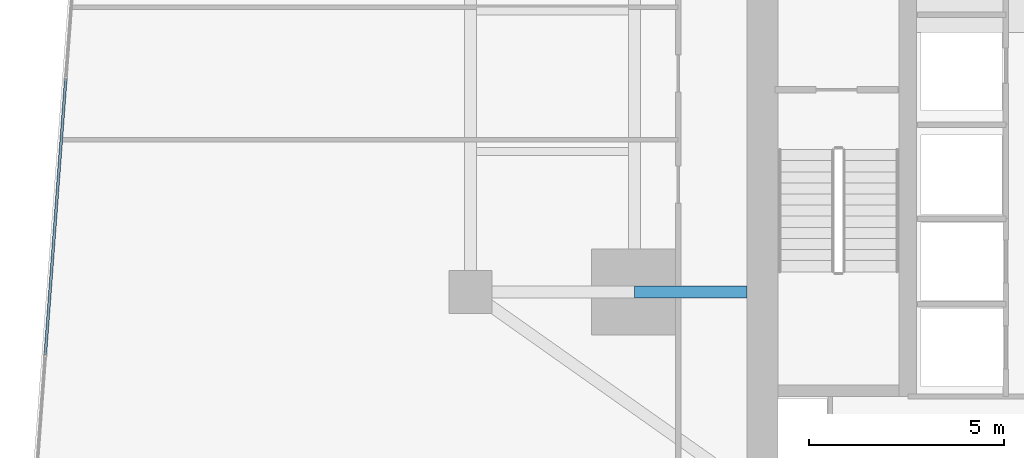
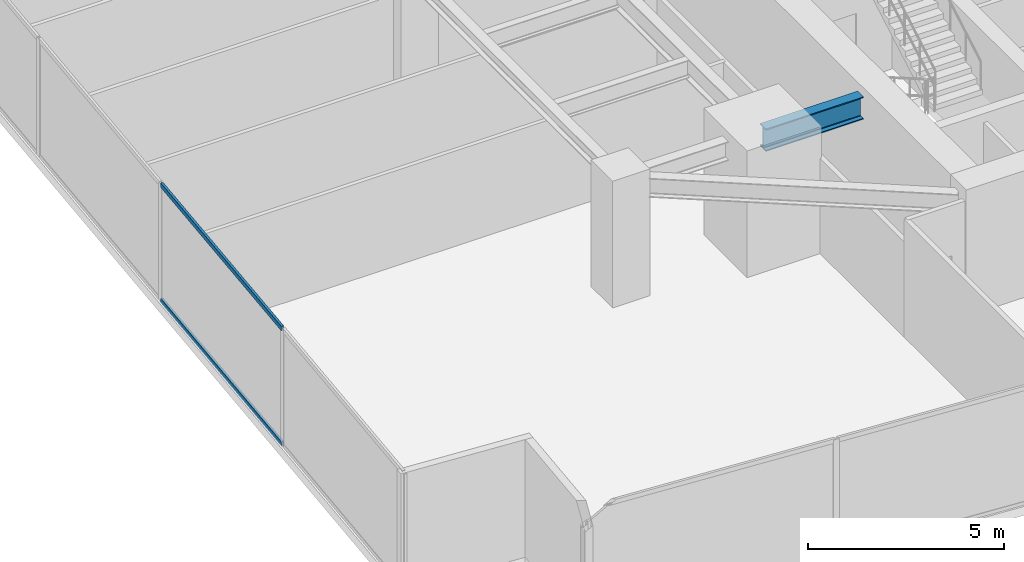
# One storey, part 7 of 30: 2 members, 1 beam, 1 element without a shape of its own.
"""IFC4 building model written with IfcOpenShell, lengths in metres."""

from ifc_helpers import new_model, si_unit, direction, frame, origin, origin_2d, place, context, subcontext, project, spatial, hollow_rectangle, i_section, extrude, source, transform, mapped, material, material_profile, profile_set, type_object, type_shapes, element, aggregate, save


model = new_model("IFC4")

# Units and contexts
model_context = context("Model", 3, precision=1e-05, world=origin(), true_north=direction((0.0, 1.0)))
body_context = subcontext(model_context, "Body", "Model", "MODEL_VIEW")
ifc_project = project(units=[si_unit("LENGTHUNIT", "METRE"), si_unit("AREAUNIT", "SQUARE_METRE"), si_unit("VOLUMEUNIT", "CUBIC_METRE"), si_unit("PLANEANGLEUNIT", "RADIAN"), si_unit("MASSUNIT", "GRAM", prefix="KILO")], contexts=[model_context])

# Site, building, storey
site_placement = place(None, origin())
site = spatial("IfcSite", under=ifc_project, at=site_placement, CompositionType="ELEMENT")
building_placement = place(site_placement, origin())
building = spatial("IfcBuilding", under=site, at=building_placement, Name="Krantzveldt Concourse Tower", CompositionType="ELEMENT")
storey_placement = place(building_placement, frame((0.0, 0.0, 52.64990234375)))
storey = spatial("IfcBuildingStorey", under=building, at=storey_placement, Name="L12", CompositionType="ELEMENT", Elevation=52.64990234375)

# Beam
ifc_material_1 = material(Name="Steel S355J2", Category="steel")
ifc_material_profile_1 = material_profile(ifc_material_1, i_section(OverallWidth=0.300048828125, OverallDepth=0.699951171875, WebThickness=0.01708984375, FlangeThickness=0.031982421875, FilletRadius=0.027099609375, at=origin_2d()), Name="Steel S355J2", Category="steel")
ifc_profile_set_1 = profile_set([ifc_material_profile_1], Name="Steel S355J2 - HEB 700")
beam_type = type_object("IfcBeamType", Name="BM-B-HEB700", PredefinedType="BEAM", material=ifc_profile_set_1)
shared_shape_1 = source(origin(), body_context, "Body", "SweptSolid", [
    extrude(i_section(OverallWidth=0.300048828125, OverallDepth=0.699951171875, WebThickness=0.01708984375, FlangeThickness=0.031982421875, FilletRadius=0.027099609375, at=origin_2d()), origin(), (0.0, 0.0, 1.0), 2.880126953125),
])
type_shapes(beam_type, [shared_shape_1])
beam_placement = place(storey_placement, frame((25.199951171875, 15.89990234375, 3.320068359375), z_axis=(1.0, 0.0, 0.0), x_axis=(0.0, 1.0, 0.0)))
element("IfcBeam", 1, at=beam_placement, inside=storey, type_object=beam_type, Name="L12 Tower Girder BG-CW1", PredefinedType="BEAM", context=body_context, shape_type="MappedRepresentation", body=[
    mapped(shared_shape_1, transform((0.0, 0.0, 0.0), x_axis=(1.0, 0.0, 0.0), y_axis=(0.0, 1.0, 0.0), z_axis=(0.0, 0.0, 1.0), scale=1.0)),
])

# Curtain wall, members
ifc_material_2 = material(Name="Anodised aluminium 6063-T6", Category="aluminium")
curtain_wall_type = type_object("IfcCurtainWallType", Name="CW2", PredefinedType="USERDEFINED", material=ifc_material_2)
curtain_wall_placement = place(storey_placement, origin())
curtain_wall = element("IfcCurtainWall", 2, at=curtain_wall_placement, inside=storey, type_object=curtain_wall_type, Name="CW-L12-F01", ObjectType="UNITISED CURTAIN WALL", PredefinedType="USERDEFINED")
ifc_material_profile_2 = material_profile(ifc_material_2, hollow_rectangle(XDim=0.070068359375, YDim=0.139892578125, WallThickness=0.0048828125, at=origin_2d()), Name="Anodised aluminium 6063-T6", Category="aluminium")
ifc_profile_set_2 = profile_set([ifc_material_profile_2], Name="Anodised aluminium 6063-T6 - ALU-TRAN 140x70x5")
member_type = type_object("IfcMemberType", Name="CW-TRN-150", PredefinedType="USERDEFINED", material=ifc_profile_set_2)
shared_shape_2 = source(origin(), body_context, "Body", "SweptSolid", [
    extrude(hollow_rectangle(XDim=0.070068359375, YDim=0.139892578125, WallThickness=0.0048828125, at=origin_2d()), origin(), (0.0, 0.0, 1.0), 7.0966796875),
])
type_shapes(member_type, [shared_shape_2])
member_1_placement = place(storey_placement, frame((10.624755859375, 21.3642578125, 0.03515625), z_axis=(-0.074102314311, -0.997250644028, 0.0), x_axis=(0.997250644028, -0.074102314311, 0.0)))
member_1 = element("IfcMember", 3, at=member_1_placement, type_object=member_type, Name="CW-Z12 transom 5.1", ObjectType="TRANSOM", PredefinedType="USERDEFINED", context=body_context, shape_type="MappedRepresentation", body=[
    mapped(shared_shape_2, transform((0.0, 0.0, 0.0), x_axis=(1.0, 0.0, 0.0), y_axis=(0.0, 1.0, 0.0), z_axis=(0.0, 0.0, 1.0), scale=1.0)),
])
member_2_placement = place(storey_placement, frame((10.624755859375, 21.3642578125, 3.635009765625), z_axis=(-0.074102314311, -0.997250644028, 0.0), x_axis=(0.997250644028, -0.074102314311, 0.0)))
member_2 = element("IfcMember", 4, at=member_2_placement, type_object=member_type, Name="CW-Z12 transom 5.2", ObjectType="TRANSOM", PredefinedType="USERDEFINED", context=body_context, shape_type="MappedRepresentation", body=[
    mapped(shared_shape_2, transform((0.0, 0.0, 0.0), x_axis=(1.0, 0.0, 0.0), y_axis=(0.0, 1.0, 0.0), z_axis=(0.0, 0.0, 1.0), scale=1.0)),
])
aggregate(curtain_wall, [member_1, member_2])

save(model, "model.ifc")
